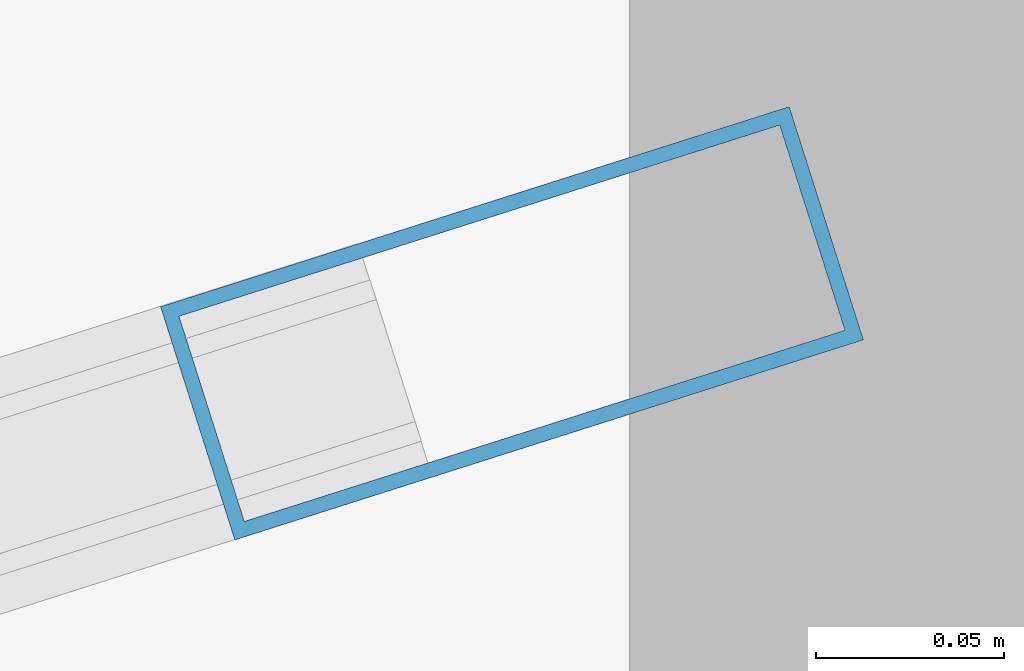
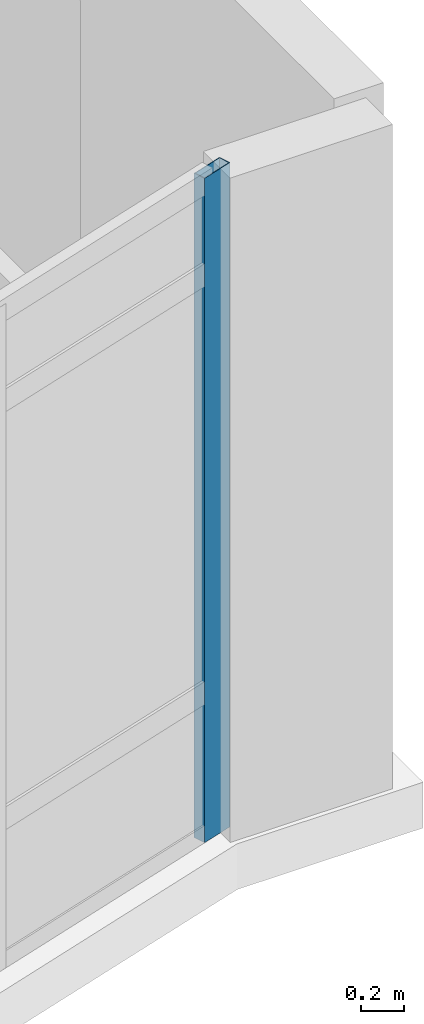
# One storey, part 61 of 91: 1 member, 1 element without a shape of its own.
"""IFC4 building model written with IfcOpenShell, lengths in metres."""

import ifcopenshell
import ifcopenshell.guid

model = None  # the IFC model being written
_history = None  # IfcOwnerHistory: only IFC2X3 demands one
_inside = {}  # id of a spatial element -> (the spatial element, [elements in it])
_under = {}  # id of a project, library or spatial element -> (it, [spatial elements below it])
_declared = {}  # id of a project -> (the project, [libraries it declares])
_typed = {}  # id of a type object -> (the type object, [elements of that type])
_made_of = {}  # id of a material, layer set ... -> (it, [elements and type objects made of it])


def new_model(schema):
    """Start an empty IFC model of exactly this schema.

    Asked for "IFC4X3", IfcOpenShell would pick the latest addendum, in which some entities
    have other attributes; the version numbers below select the first issue.
    IFC2X3 requires an IfcOwnerHistory on every rooted entity: one is made here for all.
    """
    global model, _history
    if schema == "IFC4X3":
        model = ifcopenshell.file(schema_version=(4, 3, 0, 0))
    else:
        model = ifcopenshell.file(schema=schema)
    _inside.clear()
    _under.clear()
    _declared.clear()
    _typed.clear()
    _made_of.clear()
    _history = None
    if model.schema == "IFC2X3":
        org = make("IfcOrganization", Name="unknown")
        user = make(
            "IfcPersonAndOrganization",
            ThePerson=make("IfcPerson", FamilyName="unknown"),
            TheOrganization=org,
        )
        app = make(
            "IfcApplication",
            ApplicationDeveloper=org,
            Version="unknown",
            ApplicationFullName="unknown",
            ApplicationIdentifier="unknown",
        )
        _history = make(
            "IfcOwnerHistory",
            OwningUser=user,
            OwningApplication=app,
            ChangeAction="ADDED",
            CreationDate=0,
        )
    return model


def make(cls, **values):
    """One entity of the class cls with the attributes given. An attribute that is None is left unset."""
    return model.create_entity(
        cls, **{name: value for name, value in values.items() if value is not None}
    )


def rooted(cls, **values):
    """An entity with a GlobalId (a new one), such as an element, a storey or a relation."""
    return make(cls, GlobalId=ifcopenshell.guid.new(), OwnerHistory=_history, **values)


def si_unit(unit_type, name, prefix=None):
    """IfcSIUnit, for example si_unit("LENGTHUNIT", "METRE", prefix="MILLI")."""
    return make("IfcSIUnit", UnitType=unit_type, Prefix=prefix, Name=name)


def assignment(units):
    """IfcUnitAssignment: the units of a project."""
    return None if units is None else make("IfcUnitAssignment", Units=units)


def point(xyz):
    """IfcCartesianPoint."""
    return None if xyz is None else make("IfcCartesianPoint", Coordinates=xyz)


def direction(xyz):
    """IfcDirection."""
    return None if xyz is None else make("IfcDirection", DirectionRatios=xyz)


def frame(location, z_axis=None, x_axis=None):
    """IfcAxis2Placement3D, a coordinate frame: its origin and axes. An axis left out is left unset."""
    return make(
        "IfcAxis2Placement3D",
        Location=point(location),
        Axis=direction(z_axis),
        RefDirection=direction(x_axis),
    )


def frame_2d(location, x_axis=None):
    """IfcAxis2Placement2D, a coordinate frame in the plane: its origin and x axis."""
    return make(
        "IfcAxis2Placement2D", Location=point(location), RefDirection=direction(x_axis)
    )


def origin():
    """The frame at (0, 0, 0) with its axes left unset."""
    return frame((0.0, 0.0, 0.0))


def origin_2d():
    """The frame at (0, 0) in the plane with its x axis left unset."""
    return frame_2d((0.0, 0.0))


def place(relative_to, where):
    """IfcLocalPlacement: puts the frame where relative to a parent placement (None: the world)."""
    return make(
        "IfcLocalPlacement", PlacementRelTo=relative_to, RelativePlacement=where
    )


def context(
    kind, dimensions, precision=None, world=None, true_north=None, identifier=None
):
    """IfcGeometricRepresentationContext, for example the 3D "Model" context."""
    return make(
        "IfcGeometricRepresentationContext",
        ContextIdentifier=identifier,
        ContextType=kind,
        CoordinateSpaceDimension=dimensions,
        Precision=precision,
        WorldCoordinateSystem=world,
        TrueNorth=true_north,
    )


def subcontext(parent, identifier, kind, view, scale=None):
    """IfcGeometricRepresentationSubContext, for example "Body" below "Model"."""
    return make(
        "IfcGeometricRepresentationSubContext",
        ContextIdentifier=identifier,
        ContextType=kind,
        ParentContext=parent,
        TargetScale=scale,
        TargetView=view,
    )


def project(units=None, contexts=None):
    """IfcProject with its units and contexts."""
    return rooted(
        "IfcProject",
        Name="project",
        RepresentationContexts=contexts,
        UnitsInContext=assignment(units),
    )


def spatial(cls, under=None, at=None, **own):
    """A site, building, storey or space (cls), placed at a placement, below another one or the project."""
    s = rooted(cls, ObjectPlacement=at, **own)
    if under is not None:
        _under.setdefault(under.id(), (under, []))[1].append(s)
    return s


def profile(cls, at=None, kind="AREA", **sizes):
    """A parametric profile (cls). Its sizes go by their IFC names, for example OverallWidth=200.0."""
    return make(cls, ProfileType=kind, Position=at, **sizes)


def hollow_rectangle(**sizes):
    """IfcRectangleHollowProfileDef."""
    return profile("IfcRectangleHollowProfileDef", **sizes)


def extrude(swept, where, along, depth):
    """IfcExtrudedAreaSolid: the profile swept, set in the frame where, extruded along a direction by depth."""
    return make(
        "IfcExtrudedAreaSolid",
        SweptArea=swept,
        Position=where,
        ExtrudedDirection=direction(along),
        Depth=depth,
    )


def shape(context_of_items, identifier, shape_type, items):
    """IfcShapeRepresentation: the items that make up one representation, for example the "Body"."""
    return make(
        "IfcShapeRepresentation",
        ContextOfItems=context_of_items,
        RepresentationIdentifier=identifier,
        RepresentationType=shape_type,
        Items=items,
    )


def material(Name=None, Category=None):
    """IfcMaterial."""
    return make("IfcMaterial", Name=Name, Category=Category)


def layer(
    of_material, thickness, ventilated=None, Name=None, Category=None, Priority=None
):
    """IfcMaterialLayer: one layer of a wall or slab, of a material (None: an air gap)."""
    return make(
        "IfcMaterialLayer",
        Material=of_material,
        LayerThickness=thickness,
        IsVentilated=ventilated,
        Name=Name,
        Category=Category,
        Priority=Priority,
    )


def layer_set(layers, Name=None):
    """IfcMaterialLayerSet."""
    return make("IfcMaterialLayerSet", MaterialLayers=layers, LayerSetName=Name)


def material_profile(
    of_material, cross_section, Name=None, Category=None, Priority=None
):
    """IfcMaterialProfile: a cross section and its material."""
    return make(
        "IfcMaterialProfile",
        Name=Name,
        Material=of_material,
        Profile=cross_section,
        Priority=Priority,
        Category=Category,
    )


def profile_set(profiles, Name=None, composite=None):
    """IfcMaterialProfileSet."""
    return make(
        "IfcMaterialProfileSet",
        Name=Name,
        MaterialProfiles=profiles,
        CompositeProfile=composite,
    )


def made_of(thing, what):
    """Note that an element or type object is made of a material, layer set ...; save() writes the relation."""
    if what is not None:
        _made_of.setdefault(what.id(), (what, []))[1].append(thing)
    return thing


def type_object(cls, material=None, **own):
    """A type object (cls), such as IfcWallType, which elements share."""
    return made_of(rooted(cls, **own), material)


def element(
    cls,
    number,
    at=None,
    inside=None,
    cuts=None,
    type_object=None,
    material=None,
    context=None,
    identifier="Body",
    shape_type=None,
    held_by="IfcProductDefinitionShape",
    body=None,
    shapes=None,
    **own,
):
    """One element of the class cls, such as IfcWall. Its Tag is "e" and its number.

    at: its placement. inside: the storey or other place that contains it. cuts: it is an
    opening in that element (IfcRelVoidsElement). A single representation is given by context,
    identifier, shape_type and body (its items); several are given by shapes. held_by: the class
    of the entity that holds the representations. save() writes the other relations.
    """
    e = rooted(cls, Tag="e%d" % number, ObjectPlacement=at, **own)
    if body is not None:
        shapes = [shape(context, identifier, shape_type, body)]
    if shapes is not None:
        e.Representation = make(held_by, Representations=shapes)
    if inside is not None:
        _inside.setdefault(inside.id(), (inside, []))[1].append(e)
    if cuts is not None:
        rooted(
            "IfcRelVoidsElement", RelatingBuildingElement=cuts, RelatedOpeningElement=e
        )
    if type_object is not None:
        _typed.setdefault(type_object.id(), (type_object, []))[1].append(e)
    return made_of(e, material)


def aggregate(whole, parts):
    """IfcRelAggregates: a whole, such as a stair, and the parts it consists of."""
    return rooted("IfcRelAggregates", RelatingObject=whole, RelatedObjects=parts)


def save(model, path):
    """Write the relations noted so far, then the file.

    IfcRelAggregates (storeys below a building ...), IfcRelContainedInSpatialStructure (elements
    in a storey), IfcRelDefinesByType, IfcRelAssociatesMaterial and IfcRelDeclares: one each for
    every whole, place, type object, material and project.
    """
    for whole, parts in _under.values():
        aggregate(whole, parts)
    for where, things in _inside.values():
        rooted(
            "IfcRelContainedInSpatialStructure",
            RelatedElements=things,
            RelatingStructure=where,
        )
    for kind, things in _typed.values():
        rooted("IfcRelDefinesByType", RelatedObjects=things, RelatingType=kind)
    for what, things in _made_of.values():
        rooted("IfcRelAssociatesMaterial", RelatedObjects=things, RelatingMaterial=what)
    for by, libraries in _declared.values():
        rooted("IfcRelDeclares", RelatingContext=by, RelatedDefinitions=libraries)
    model.write(path)


model = new_model("IFC4")

# Units and contexts
model_context = context("Model", 3, precision=1e-05, world=origin(), true_north=direction((0.0, 1.0)))
body_context = subcontext(model_context, "Body", "Model", "MODEL_VIEW")
ifc_project = project(units=[si_unit("LENGTHUNIT", "METRE"), si_unit("AREAUNIT", "SQUARE_METRE"), si_unit("VOLUMEUNIT", "CUBIC_METRE"), si_unit("PLANEANGLEUNIT", "RADIAN"), si_unit("MASSUNIT", "GRAM", prefix="KILO")], contexts=[model_context])

# Site, building, storey
site_placement = place(None, origin())
site = spatial("IfcSite", under=ifc_project, at=site_placement, CompositionType="ELEMENT")
building_placement = place(site_placement, origin())
building = spatial("IfcBuilding", under=site, at=building_placement, Name="Valcora Specialist Clinic", CompositionType="ELEMENT")
storey_placement = place(building_placement, frame((0.0, 0.0, 13.60009765625)))
storey = spatial("IfcBuildingStorey", under=building, at=storey_placement, Name="L03", CompositionType="ELEMENT", Elevation=13.60009765625)

# Curtain wall, member
ifc_material = material(Name="Anodized Bronze Aluminium 6063-T6", Category="aluminium")
ifc_layer = layer(ifc_material, 0.175048828125)
ifc_layer_set = layer_set([ifc_layer], Name="Anodized Bronze Aluminium 6063-T6")
curtain_wall_type = type_object("IfcCurtainWallType", Name="TY-CW-ARC40", PredefinedType="NOTDEFINED", material=ifc_layer_set)
curtain_wall_placement = place(storey_placement, origin())
curtain_wall = element("IfcCurtainWall", 1, at=curtain_wall_placement, inside=storey, type_object=curtain_wall_type, Name="Curtain wall CW-L03-117", PredefinedType="NOTDEFINED")
ifc_material_profile = material_profile(ifc_material, hollow_rectangle(XDim=0.06494140625, YDim=0.175048828125, WallThickness=0.00390625, at=origin_2d()), Name="AL-MUL-65X175")
ifc_profile_set = profile_set([ifc_material_profile], Name="Anodized Bronze Aluminium 6063-T6")
member_type = type_object("IfcMemberType", Name="TY-CWM-65X175", PredefinedType="MULLION", material=ifc_profile_set)
member_placement = place(storey_placement, frame((128.345703125, 74.14013671875, 0.0), z_axis=(0.0, 0.0, 1.0), x_axis=(0.303233270958, -0.952916356972, 0.0)))
member = element("IfcMember", 2, at=member_placement, type_object=member_type, Name="CW-ARC-40 mullion 1", PredefinedType="MULLION", context=body_context, shape_type="SweptSolid", body=[
    extrude(hollow_rectangle(XDim=0.06494140625, YDim=0.175048828125, WallThickness=0.00390625, at=origin_2d()), origin(), (0.0, 0.0, 1.0), 3.77490234375),
])
aggregate(curtain_wall, [member])

save(model, "model.ifc")
